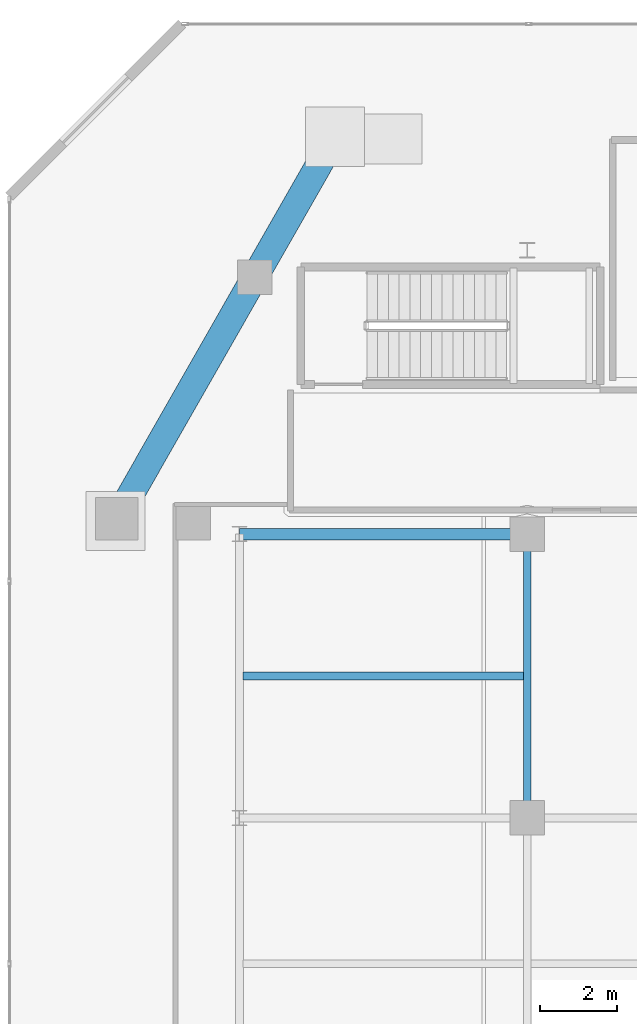
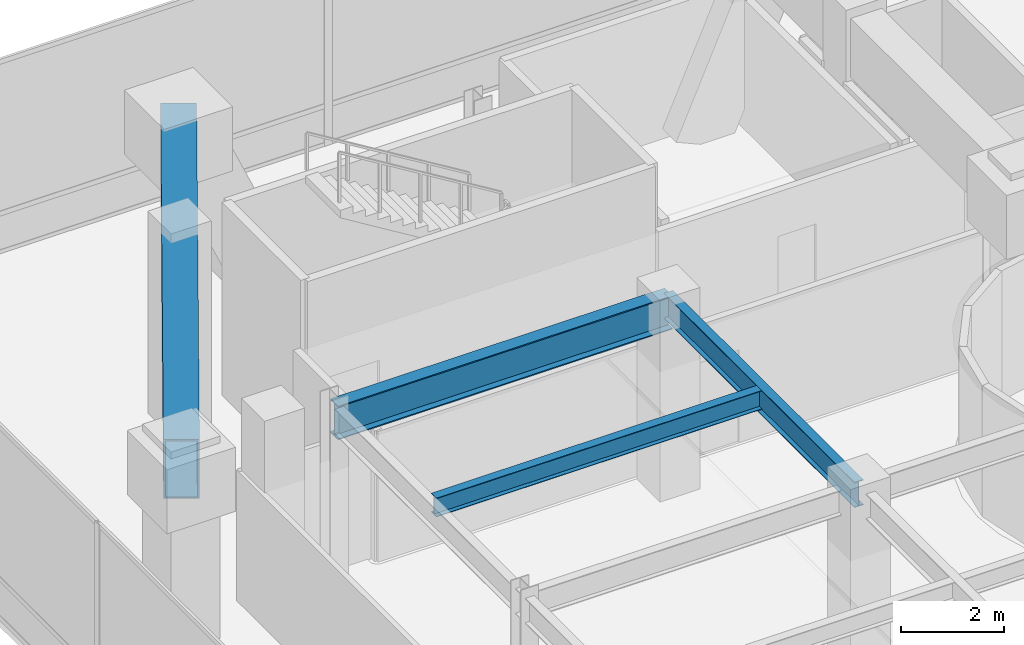
# One storey, part 16 of 45: 4 beams.
"""IFC4 building model written with IfcOpenShell, lengths in metres."""

from ifc_helpers import new_model, si_unit, direction, frame, origin, origin_2d, place, context, subcontext, project, spatial, hollow_rectangle, i_section, extrude, material, material_profile, profile_set, type_object, element, save


model = new_model("IFC4")

# Units and contexts
model_context = context("Model", 3, precision=1e-05, world=origin(), true_north=direction((0.0, 1.0)))
body_context = subcontext(model_context, "Body", "Model", "MODEL_VIEW")
ifc_project = project(units=[si_unit("LENGTHUNIT", "METRE"), si_unit("AREAUNIT", "SQUARE_METRE"), si_unit("VOLUMEUNIT", "CUBIC_METRE"), si_unit("PLANEANGLEUNIT", "RADIAN"), si_unit("MASSUNIT", "GRAM", prefix="KILO")], contexts=[model_context])

# Site, building, storey
site_placement = place(None, origin())
site = spatial("IfcSite", under=ifc_project, at=site_placement, CompositionType="ELEMENT")
building_placement = place(site_placement, origin())
building = spatial("IfcBuilding", under=site, at=building_placement, Name="Qianvela Tower", CompositionType="ELEMENT")
storey_placement = place(building_placement, frame((0.0, 0.0, 11.0)))
storey = spatial("IfcBuildingStorey", under=building, at=storey_placement, Name="L02", CompositionType="ELEMENT", Elevation=11.0)

# Beams
ifc_material_1 = material(Name="Steel Q355B", Category="steel")
ifc_material_profile_1 = material_profile(ifc_material_1, i_section(OverallWidth=0.199951171875, OverallDepth=0.449951171875, WebThickness=0.009033203125, FlangeThickness=0.013916015625, at=origin_2d()), Name="HN450x200x9x14")
ifc_profile_set_1 = profile_set([ifc_material_profile_1], Name="Steel Q355B")
beam_type_1 = type_object("IfcBeamType", Name="BM-HN450-JOIST", PredefinedType="JOIST", material=ifc_profile_set_1)
beam_1_placement = place(storey_placement, frame((7.595947265625, 33.5, 4.35302734375), z_axis=(1.0, 0.0, 0.0), x_axis=(0.0, 1.0, 0.0)))
element("IfcBeam", 1, at=beam_1_placement, inside=storey, type_object=beam_type_1, Name="L02 Secondary Floor Joist 44", PredefinedType="JOIST", context=body_context, shape_type="SweptSolid", body=[
    extrude(i_section(OverallWidth=0.199951171875, OverallDepth=0.449951171875, WebThickness=0.009033203125, FlangeThickness=0.013916015625, at=origin_2d()), origin(), (0.0, 0.0, 1.0), 7.30810546875),
])
ifc_material_2 = material(Name="Steel Q355B", Category="steel")
ifc_material_profile_2 = material_profile(ifc_material_2, i_section(OverallWidth=0.199951171875, OverallDepth=0.60009765625, WebThickness=0.010986328125, FlangeThickness=0.01708984375, at=origin_2d()), Name="HN600x200x11x17")
ifc_profile_set_2 = profile_set([ifc_material_profile_2], Name="Steel Q355B")
beam_type_2 = type_object("IfcBeamType", Name="BM-HN600-GIRD", PredefinedType="BEAM", material=ifc_profile_set_2)
beam_2_placement = place(storey_placement, frame((15.0, 29.800048828125, 4.278076171875), z_axis=(0.0, 1.0, 0.0), x_axis=(-1.0, 0.0, 0.0)))
element("IfcBeam", 2, at=beam_2_placement, inside=storey, type_object=beam_type_2, Name="L02 North-South Grid Girder 22", PredefinedType="BEAM", context=body_context, shape_type="SweptSolid", body=[
    extrude(i_section(OverallWidth=0.199951171875, OverallDepth=0.60009765625, WebThickness=0.010986328125, FlangeThickness=0.01708984375, at=origin_2d()), origin(), (0.0, 0.0, 1.0), 7.39990234375),
])
ifc_material_3 = material(Name="Steel Q355B", Category="steel")
ifc_material_profile_3 = material_profile(ifc_material_3, i_section(OverallWidth=0.300048828125, OverallDepth=0.800048828125, WebThickness=0.013916015625, FlangeThickness=0.02587890625, at=origin_2d()), Name="HN800x300x14x26")
ifc_profile_set_3 = profile_set([ifc_material_profile_3], Name="Steel Q355B")
beam_type_3 = type_object("IfcBeamType", Name="BM-HN800-SPAND", PredefinedType="SPANDREL", material=ifc_profile_set_3)
beam_3_placement = place(storey_placement, frame((7.5, 37.199951171875, 4.177978515625), z_axis=(1.0, 0.0, 0.0), x_axis=(0.0, 1.0, 0.0)))
element("IfcBeam", 3, at=beam_3_placement, inside=storey, type_object=beam_type_3, Name="L02 East-West Grid Girder 14", PredefinedType="SPANDREL", context=body_context, shape_type="SweptSolid", body=[
    extrude(i_section(OverallWidth=0.300048828125, OverallDepth=0.800048828125, WebThickness=0.013916015625, FlangeThickness=0.02587890625, at=origin_2d()), origin(), (0.0, 0.0, 1.0), 7.5),
])
ifc_material_4 = material(Name="Steel Q420GJC", Category="steel")
ifc_material_profile_4 = material_profile(ifc_material_4, hollow_rectangle(XDim=0.699951171875, YDim=1.39990234375, WallThickness=0.0400390625, at=origin_2d()), Name="TG-BOX-1400x700x40")
ifc_profile_set_4 = profile_set([ifc_material_profile_4], Name="Steel Q420GJC")
beam_type_4 = type_object("IfcBeamType", Name="BM-TG-STEP-1400", PredefinedType="BEAM", material=ifc_profile_set_4)
beam_4_placement = place(storey_placement, frame((4.302978515625, 37.60009765625, 3.8779296875), z_axis=(0.495825242678, 0.86842232164, 0.0), x_axis=(-0.86842232164, 0.495825242678, 0.0)))
element("IfcBeam", 4, at=beam_4_placement, inside=storey, type_object=beam_type_4, Name="L02 Concourse V-Cap Transfer Girder VC-N1-L", PredefinedType="BEAM", context=body_context, shape_type="SweptSolid", body=[
    extrude(hollow_rectangle(XDim=0.699951171875, YDim=1.39990234375, WallThickness=0.0400390625, at=origin_2d()), origin(), (0.0, 0.0, 1.0), 11.39990234375),
])

save(model, "model.ifc")
